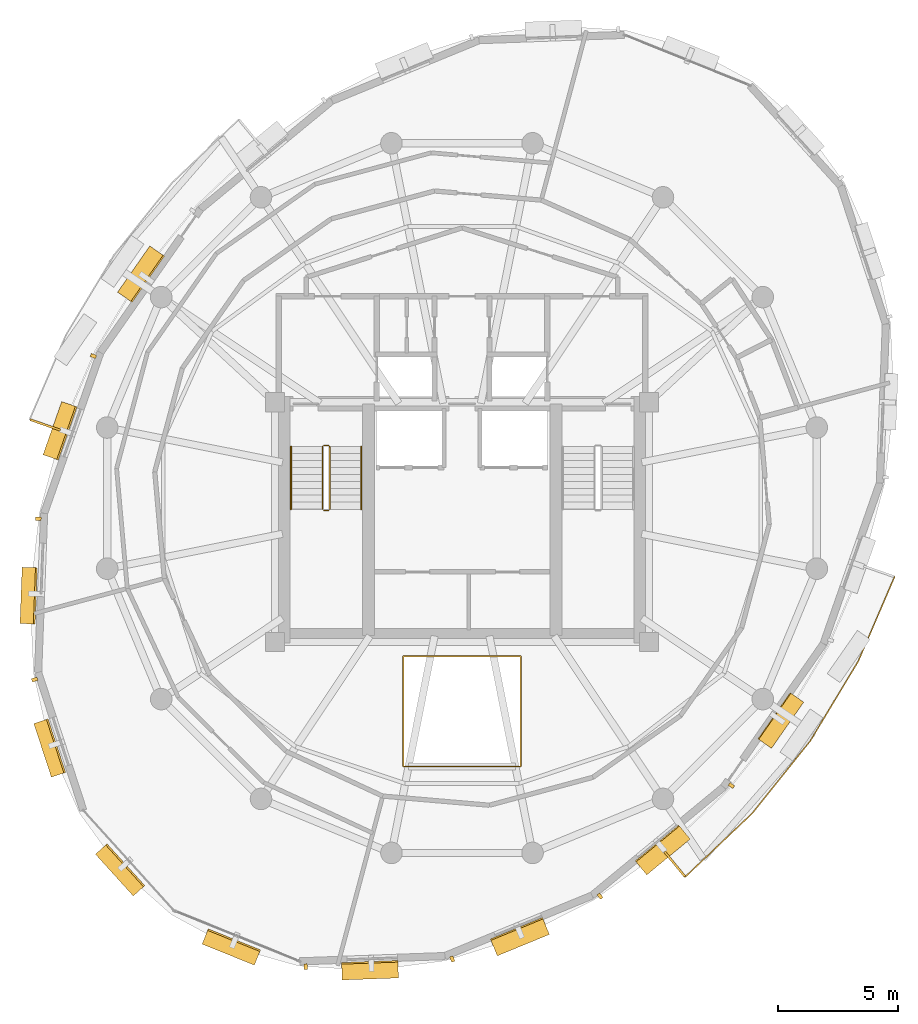
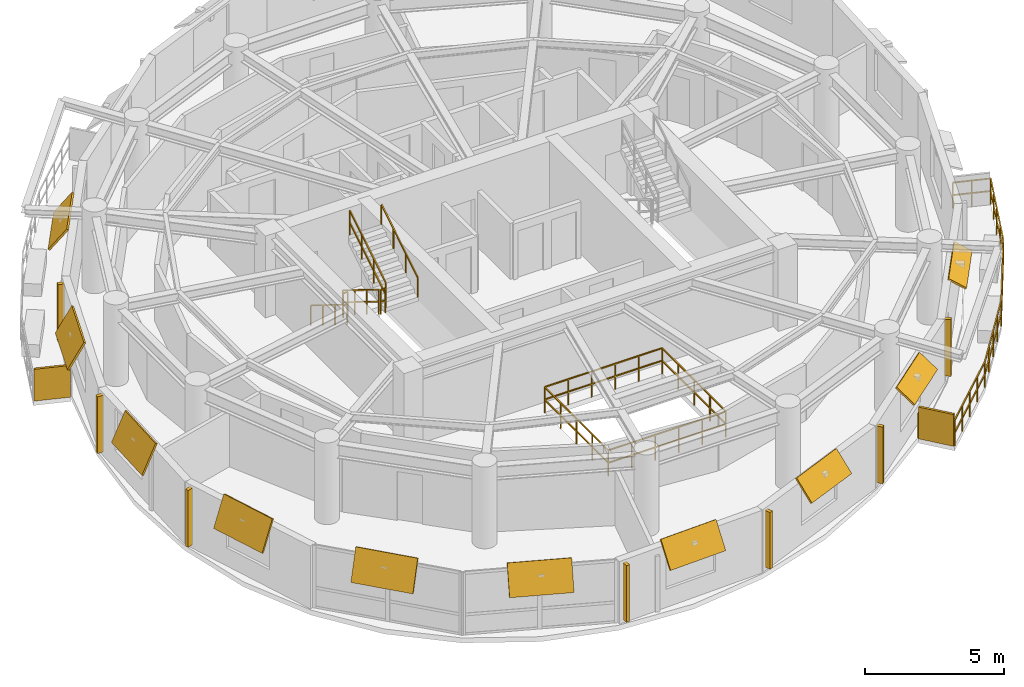
# One storey, part 10 of 11: 19 shading devices, 8 railings.
"""IFC4 building model written with IfcOpenShell, lengths in metres."""

from ifc_helpers import new_model, si_unit, direction, frame, origin, origin_2d, place, context, subcontext, project, spatial, rectangle, extrude, material, layer, layer_set, type_object, element, save


model = new_model("IFC4")

# Units and contexts
model_context = context("Model", 3, precision=1e-05, world=origin(), true_north=direction((0.0, 1.0)))
body_context = subcontext(model_context, "Body", "Model", "MODEL_VIEW")
ifc_project = project(units=[si_unit("LENGTHUNIT", "METRE"), si_unit("AREAUNIT", "SQUARE_METRE"), si_unit("VOLUMEUNIT", "CUBIC_METRE"), si_unit("PLANEANGLEUNIT", "RADIAN"), si_unit("MASSUNIT", "GRAM", prefix="KILO"), si_unit("THERMODYNAMICTEMPERATUREUNIT", "KELVIN"), si_unit("POWERUNIT", "WATT")], contexts=[model_context])

# Site, building, storey
site_placement = place(None, origin())
site = spatial("IfcSite", under=ifc_project, at=site_placement, CompositionType="ELEMENT")
building_placement = place(site_placement, origin())
building = spatial("IfcBuilding", under=site, at=building_placement, Name="Ocrelia Relay Tower", CompositionType="ELEMENT")
storey_placement = place(building_placement, frame((0.0, 0.0, 259.199951171875)))
storey = spatial("IfcBuildingStorey", under=building, at=storey_placement, Name="L64", CompositionType="ELEMENT", Elevation=259.199951171875)

# Railings
ifc_material_1 = material(Name="Steel S355 balustrade", Category="steel")
railing_type_1 = type_object("IfcRailingType", Name="RL-EXT-GUARD-1150", PredefinedType="GUARDRAIL", material=ifc_material_1)
railing_1_placement = place(storey_placement, frame((50.7392578125, 23.17333984375, 0.0)))
element("IfcRailing", 1, at=railing_1_placement, inside=storey, type_object=railing_type_1, Name="L64 Loggia Balcony Guard Rail B2", PredefinedType="GUARDRAIL", context=body_context, shape_type="SweptSolid", body=[
    extrude(rectangle(XDim=0.048095703125, YDim=0.048095703125, at=origin_2d()), frame((0.0, 0.0, 1.1259765625), z_axis=(0.94424832666, -0.329234107588, 0.0), x_axis=(0.329234107588, 0.94424832666, 0.0)), (0.0, 0.0, 1.0), 1.393310546875),
    extrude(rectangle(XDim=0.048095703125, YDim=0.048095703125, at=origin_2d()), frame((0.0, 0.0, 0.574951171875), z_axis=(0.94424832666, -0.329234107588, 0.0), x_axis=(0.329234107588, 0.94424832666, 0.0)), (0.0, 0.0, 1.0), 1.393310546875),
    extrude(rectangle(XDim=0.048095703125, YDim=0.048095703125, at=origin_2d()), frame((1.315673828125, -0.458740234375, 1.1259765625), z_axis=(-0.394916185996, -0.918717152359, 0.0), x_axis=(0.918717152359, -0.394916185996, 0.0)), (0.0, 0.0, 1.0), 1.920654296875),
    extrude(rectangle(XDim=0.048095703125, YDim=0.048095703125, at=origin_2d()), frame((1.315673828125, -0.458740234375, 0.574951171875), z_axis=(-0.394916185996, -0.918717152359, 0.0), x_axis=(0.918717152359, -0.394916185996, 0.0)), (0.0, 0.0, 1.0), 1.920654296875),
    extrude(rectangle(XDim=0.048095703125, YDim=0.048095703125, at=origin_2d()), frame((0.55712890625, -2.223388671875, 1.1259765625), z_axis=(-0.394808895803, -0.918763264283, 0.0), x_axis=(0.918763264283, -0.394808895803, 0.0)), (0.0, 0.0, 1.0), 1.920654296875),
    extrude(rectangle(XDim=0.048095703125, YDim=0.048095703125, at=origin_2d()), frame((0.55712890625, -2.223388671875, 0.574951171875), z_axis=(-0.394808895803, -0.918763264283, 0.0), x_axis=(0.918763264283, -0.394808895803, 0.0)), (0.0, 0.0, 1.0), 1.920654296875),
    extrude(rectangle(XDim=0.048095703125, YDim=0.048095703125, at=origin_2d()), frame((-0.201171875, -3.988037109375, 1.1259765625), z_axis=(-0.515780772345, -0.856720604911, 0.0), x_axis=(0.856720604911, -0.515780772345, 0.0)), (0.0, 0.0, 1.0), 3.8818359375),
    extrude(rectangle(XDim=0.048095703125, YDim=0.048095703125, at=origin_2d()), frame((-0.201171875, -3.988037109375, 0.574951171875), z_axis=(-0.515780772345, -0.856720604911, 0.0), x_axis=(0.856720604911, -0.515780772345, 0.0)), (0.0, 0.0, 1.0), 3.8818359375),
    extrude(rectangle(XDim=0.048095703125, YDim=0.048095703125, at=origin_2d()), frame((-2.203369140625, -7.313720703125, 1.1259765625), z_axis=(-0.625959728155, -0.779855383214, 0.0), x_axis=(0.779855383214, -0.625959728155, 0.0)), (0.0, 0.0, 1.0), 3.8818359375),
    extrude(rectangle(XDim=0.048095703125, YDim=0.048095703125, at=origin_2d()), frame((-2.203369140625, -7.313720703125, 0.574951171875), z_axis=(-0.625959728155, -0.779855383214, 0.0), x_axis=(0.779855383214, -0.625959728155, 0.0)), (0.0, 0.0, 1.0), 3.8818359375),
    extrude(rectangle(XDim=0.048095703125, YDim=0.048095703125, at=origin_2d()), frame((-4.63330078125, -10.341064453125, 1.1259765625), z_axis=(-0.725792339847, -0.687913860465, 0.0), x_axis=(0.687913860465, -0.725792339847, 0.0)), (0.0, 0.0, 1.0), 1.920654296875),
    extrude(rectangle(XDim=0.048095703125, YDim=0.048095703125, at=origin_2d()), frame((-4.63330078125, -10.341064453125, 0.574951171875), z_axis=(-0.725792339847, -0.687913860465, 0.0), x_axis=(0.687913860465, -0.725792339847, 0.0)), (0.0, 0.0, 1.0), 1.920654296875),
    extrude(rectangle(XDim=0.048095703125, YDim=0.048095703125, at=origin_2d()), frame((-6.02734375, -11.662353515625, 1.1259765625), z_axis=(-0.725915942054, -0.687783428901, 0.0), x_axis=(0.687783428901, -0.725915942054, 0.0)), (0.0, 0.0, 1.0), 1.920654296875),
    extrude(rectangle(XDim=0.048095703125, YDim=0.048095703125, at=origin_2d()), frame((-6.02734375, -11.662353515625, 0.574951171875), z_axis=(-0.725915942054, -0.687783428901, 0.0), x_axis=(0.687783428901, -0.725915942054, 0.0)), (0.0, 0.0, 1.0), 1.920654296875),
    extrude(rectangle(XDim=0.048095703125, YDim=0.048095703125, at=origin_2d()), frame((-7.421630859375, -12.9833984375, 1.1259765625), z_axis=(-0.634896322656, 0.772597346279, 0.0), x_axis=(-0.772597346279, -0.634896322656, 0.0)), (0.0, 0.0, 1.0), 1.3935546875),
    extrude(rectangle(XDim=0.048095703125, YDim=0.048095703125, at=origin_2d()), frame((-7.421630859375, -12.9833984375, 0.574951171875), z_axis=(-0.634896322656, 0.772597346279, 0.0), x_axis=(-0.772597346279, -0.634896322656, 0.0)), (0.0, 0.0, 1.0), 1.3935546875),
    extrude(rectangle(XDim=0.0419921875, YDim=0.0419921875, at=origin_2d()), origin(), (0.0, 0.0, 1.0), 1.101806640625),
    extrude(rectangle(XDim=0.0419921875, YDim=0.0419921875, at=origin_2d()), frame((0.65771484375, -0.2294921875, 0.0)), (0.0, 0.0, 1.0), 1.101806640625),
    extrude(rectangle(XDim=0.0419921875, YDim=0.0419921875, at=origin_2d()), frame((1.315673828125, -0.458740234375, 0.0)), (0.0, 0.0, 1.0), 1.101806640625),
    extrude(rectangle(XDim=0.0419921875, YDim=0.0419921875, at=origin_2d()), frame((0.9365234375, -1.341064453125, 0.0)), (0.0, 0.0, 1.0), 1.101806640625),
    extrude(rectangle(XDim=0.0419921875, YDim=0.0419921875, at=origin_2d()), frame((0.55712890625, -2.223388671875, 0.0)), (0.0, 0.0, 1.0), 1.101806640625),
    extrude(rectangle(XDim=0.0419921875, YDim=0.0419921875, at=origin_2d()), frame((0.177978515625, -3.105712890625, 0.0)), (0.0, 0.0, 1.0), 1.101806640625),
    extrude(rectangle(XDim=0.0419921875, YDim=0.0419921875, at=origin_2d()), frame((-0.201171875, -3.988037109375, 0.0)), (0.0, 0.0, 1.0), 1.101806640625),
    extrude(rectangle(XDim=0.0419921875, YDim=0.0419921875, at=origin_2d()), frame((-0.70166015625, -4.8193359375, 0.0)), (0.0, 0.0, 1.0), 1.101806640625),
    extrude(rectangle(XDim=0.0419921875, YDim=0.0419921875, at=origin_2d()), frame((-1.2021484375, -5.65087890625, 0.0)), (0.0, 0.0, 1.0), 1.101806640625),
    extrude(rectangle(XDim=0.0419921875, YDim=0.0419921875, at=origin_2d()), frame((-1.702880859375, -6.482421875, 0.0)), (0.0, 0.0, 1.0), 1.101806640625),
    extrude(rectangle(XDim=0.0419921875, YDim=0.0419921875, at=origin_2d()), frame((-2.203369140625, -7.313720703125, 0.0)), (0.0, 0.0, 1.0), 1.101806640625),
    extrude(rectangle(XDim=0.0419921875, YDim=0.0419921875, at=origin_2d()), frame((-2.810791015625, -8.070556640625, 0.0)), (0.0, 0.0, 1.0), 1.101806640625),
    extrude(rectangle(XDim=0.0419921875, YDim=0.0419921875, at=origin_2d()), frame((-3.41845703125, -8.827392578125, 0.0)), (0.0, 0.0, 1.0), 1.101806640625),
    extrude(rectangle(XDim=0.0419921875, YDim=0.0419921875, at=origin_2d()), frame((-4.02587890625, -9.584228515625, 0.0)), (0.0, 0.0, 1.0), 1.101806640625),
    extrude(rectangle(XDim=0.0419921875, YDim=0.0419921875, at=origin_2d()), frame((-4.63330078125, -10.341064453125, 0.0)), (0.0, 0.0, 1.0), 1.101806640625),
    extrude(rectangle(XDim=0.0419921875, YDim=0.0419921875, at=origin_2d()), frame((-5.330322265625, -11.001708984375, 0.0)), (0.0, 0.0, 1.0), 1.101806640625),
    extrude(rectangle(XDim=0.0419921875, YDim=0.0419921875, at=origin_2d()), frame((-6.02734375, -11.662353515625, 0.0)), (0.0, 0.0, 1.0), 1.101806640625),
    extrude(rectangle(XDim=0.0419921875, YDim=0.0419921875, at=origin_2d()), frame((-6.724609375, -12.32275390625, 0.0)), (0.0, 0.0, 1.0), 1.101806640625),
    extrude(rectangle(XDim=0.0419921875, YDim=0.0419921875, at=origin_2d()), frame((-7.421630859375, -12.9833984375, 0.0)), (0.0, 0.0, 1.0), 1.101806640625),
    extrude(rectangle(XDim=0.0419921875, YDim=0.0419921875, at=origin_2d()), frame((-7.864013671875, -12.445068359375, 0.0)), (0.0, 0.0, 1.0), 1.101806640625),
    extrude(rectangle(XDim=0.0419921875, YDim=0.0419921875, at=origin_2d()), frame((-8.306396484375, -11.90673828125, 0.0)), (0.0, 0.0, 1.0), 1.101806640625),
])
ifc_material_2 = material(Name="Steel S355 atrium balustrade", Category="steel")
railing_type_2 = type_object("IfcRailingType", Name="RL-INT-GUARD-115", PredefinedType="GUARDRAIL", material=ifc_material_2)
railing_2_placement = place(storey_placement, frame((31.550048828125, 14.800048828125, 0.0)))
element("IfcRailing", 2, at=railing_2_placement, inside=storey, type_object=railing_type_2, Name="L64 Multi-Zone Interior Atrium Guard", PredefinedType="GUARDRAIL", context=body_context, shape_type="SweptSolid", body=[
    extrude(rectangle(XDim=0.048095703125, YDim=0.048095703125, at=origin_2d()), frame((0.0, 0.0, 1.1259765625), z_axis=(1.0, 0.0, 0.0), x_axis=(0.0, 1.0, 0.0)), (0.0, 0.0, 1.0), 4.89990234375),
    extrude(rectangle(XDim=0.048095703125, YDim=0.048095703125, at=origin_2d()), frame((0.0, 0.0, 0.574951171875), z_axis=(1.0, 0.0, 0.0), x_axis=(0.0, 1.0, 0.0)), (0.0, 0.0, 1.0), 4.89990234375),
    extrude(rectangle(XDim=0.048095703125, YDim=0.048095703125, at=origin_2d()), frame((4.89990234375, 0.0, 1.1259765625), z_axis=(0.0, 1.0, 0.0), x_axis=(-1.0, 0.0, 0.0)), (0.0, 0.0, 1.0), 4.599853515625),
    extrude(rectangle(XDim=0.048095703125, YDim=0.048095703125, at=origin_2d()), frame((4.89990234375, 0.0, 0.574951171875), z_axis=(0.0, 1.0, 0.0), x_axis=(-1.0, 0.0, 0.0)), (0.0, 0.0, 1.0), 4.599853515625),
    extrude(rectangle(XDim=0.048095703125, YDim=0.048095703125, at=origin_2d()), frame((4.89990234375, 4.599853515625, 1.1259765625), z_axis=(-1.0, 0.0, 0.0), x_axis=(0.0, -1.0, 0.0)), (0.0, 0.0, 1.0), 4.89990234375),
    extrude(rectangle(XDim=0.048095703125, YDim=0.048095703125, at=origin_2d()), frame((4.89990234375, 4.599853515625, 0.574951171875), z_axis=(-1.0, 0.0, 0.0), x_axis=(0.0, -1.0, 0.0)), (0.0, 0.0, 1.0), 4.89990234375),
    extrude(rectangle(XDim=0.048095703125, YDim=0.048095703125, at=origin_2d()), frame((0.0, 4.599853515625, 1.1259765625), z_axis=(0.0, -1.0, 0.0), x_axis=(1.0, 0.0, 0.0)), (0.0, 0.0, 1.0), 4.599853515625),
    extrude(rectangle(XDim=0.048095703125, YDim=0.048095703125, at=origin_2d()), frame((0.0, 4.599853515625, 0.574951171875), z_axis=(0.0, -1.0, 0.0), x_axis=(1.0, 0.0, 0.0)), (0.0, 0.0, 1.0), 4.599853515625),
    extrude(rectangle(XDim=0.0419921875, YDim=0.0419921875, at=origin_2d()), origin(), (0.0, 0.0, 1.0), 1.101806640625),
    extrude(rectangle(XDim=0.0419921875, YDim=0.0419921875, at=origin_2d()), frame((0.97998046875, 0.0, 0.0)), (0.0, 0.0, 1.0), 1.101806640625),
    extrude(rectangle(XDim=0.0419921875, YDim=0.0419921875, at=origin_2d()), frame((1.9599609375, 0.0, 0.0)), (0.0, 0.0, 1.0), 1.101806640625),
    extrude(rectangle(XDim=0.0419921875, YDim=0.0419921875, at=origin_2d()), frame((2.93994140625, 0.0, 0.0)), (0.0, 0.0, 1.0), 1.101806640625),
    extrude(rectangle(XDim=0.0419921875, YDim=0.0419921875, at=origin_2d()), frame((3.919921875, 0.0, 0.0)), (0.0, 0.0, 1.0), 1.101806640625),
    extrude(rectangle(XDim=0.0419921875, YDim=0.0419921875, at=origin_2d()), frame((4.89990234375, 0.0, 0.0)), (0.0, 0.0, 1.0), 1.101806640625),
    extrude(rectangle(XDim=0.0419921875, YDim=0.0419921875, at=origin_2d()), frame((4.89990234375, 1.14990234375, 0.0)), (0.0, 0.0, 1.0), 1.101806640625),
    extrude(rectangle(XDim=0.0419921875, YDim=0.0419921875, at=origin_2d()), frame((4.89990234375, 2.2998046875, 0.0)), (0.0, 0.0, 1.0), 1.101806640625),
    extrude(rectangle(XDim=0.0419921875, YDim=0.0419921875, at=origin_2d()), frame((4.89990234375, 3.449951171875, 0.0)), (0.0, 0.0, 1.0), 1.101806640625),
    extrude(rectangle(XDim=0.0419921875, YDim=0.0419921875, at=origin_2d()), frame((4.89990234375, 4.599853515625, 0.0)), (0.0, 0.0, 1.0), 1.101806640625),
    extrude(rectangle(XDim=0.0419921875, YDim=0.0419921875, at=origin_2d()), frame((3.919921875, 4.599853515625, 0.0)), (0.0, 0.0, 1.0), 1.101806640625),
    extrude(rectangle(XDim=0.0419921875, YDim=0.0419921875, at=origin_2d()), frame((2.93994140625, 4.599853515625, 0.0)), (0.0, 0.0, 1.0), 1.101806640625),
    extrude(rectangle(XDim=0.0419921875, YDim=0.0419921875, at=origin_2d()), frame((1.9599609375, 4.599853515625, 0.0)), (0.0, 0.0, 1.0), 1.101806640625),
    extrude(rectangle(XDim=0.0419921875, YDim=0.0419921875, at=origin_2d()), frame((0.97998046875, 4.599853515625, 0.0)), (0.0, 0.0, 1.0), 1.101806640625),
    extrude(rectangle(XDim=0.0419921875, YDim=0.0419921875, at=origin_2d()), frame((0.0, 4.599853515625, 0.0)), (0.0, 0.0, 1.0), 1.101806640625),
    extrude(rectangle(XDim=0.0419921875, YDim=0.0419921875, at=origin_2d()), frame((0.0, 3.449951171875, 0.0)), (0.0, 0.0, 1.0), 1.101806640625),
    extrude(rectangle(XDim=0.0419921875, YDim=0.0419921875, at=origin_2d()), frame((0.0, 2.2998046875, 0.0)), (0.0, 0.0, 1.0), 1.101806640625),
    extrude(rectangle(XDim=0.0419921875, YDim=0.0419921875, at=origin_2d()), frame((0.0, 1.14990234375, 0.0)), (0.0, 0.0, 1.0), 1.101806640625),
])
railing_type_3 = type_object("IfcRailingType", Name="RL-STAIR-GUARD", PredefinedType="GUARDRAIL", material=ifc_material_1)
railing_3_placement = place(storey_placement, frame((28.179931640625, 28.14990234375, 0.179931640625)))
element("IfcRailing", 3, at=railing_3_placement, inside=storey, type_object=railing_type_3, Name="L64 ST1 stair guard 1", PredefinedType="GUARDRAIL", context=body_context, shape_type="SweptSolid", body=[
    extrude(rectangle(XDim=0.048095703125, YDim=0.048095703125, at=origin_2d()), frame((0.0, 0.0, 1.076171875), z_axis=(0.0, -0.849610693518, 0.52741034258), x_axis=(1.0, 0.0, 0.0)), (0.0, 0.0, 1.0), 3.07177734375),
    extrude(rectangle(XDim=0.048095703125, YDim=0.048095703125, at=origin_2d()), frame((0.0, 0.0, 0.550048828125), z_axis=(0.0, -0.849610693518, 0.52741034258), x_axis=(1.0, 0.0, 0.0)), (0.0, 0.0, 1.0), 3.07177734375),
    extrude(rectangle(XDim=0.0419921875, YDim=0.0419921875, at=origin_2d()), origin(), (0.0, 0.0, 1.0), 1.052001953125),
    extrude(rectangle(XDim=0.0419921875, YDim=0.0419921875, at=origin_2d()), frame((0.0, -0.869873046875, 0.5400390625)), (0.0, 0.0, 1.0), 1.052001953125),
    extrude(rectangle(XDim=0.0419921875, YDim=0.0419921875, at=origin_2d()), frame((0.0, -1.739990234375, 1.080078125)), (0.0, 0.0, 1.0), 1.052001953125),
    extrude(rectangle(XDim=0.0419921875, YDim=0.0419921875, at=origin_2d()), frame((0.0, -2.60986328125, 1.6201171875)), (0.0, 0.0, 1.0), 1.052001953125),
])
railing_4_placement = place(storey_placement, frame((28.22998046875, 25.489990234375, 1.800048828125)))
element("IfcRailing", 4, at=railing_4_placement, inside=storey, type_object=railing_type_3, Name="L64 ST1 stair guard 2", PredefinedType="GUARDRAIL", context=body_context, shape_type="SweptSolid", body=[
    extrude(rectangle(XDim=0.048095703125, YDim=0.048095703125, at=origin_2d()), frame((0.0, 0.0, 1.076171875), z_axis=(1.0, 0.0, 0.0), x_axis=(0.0, 1.0, 0.0)), (0.0, 0.0, 1.0), 0.199951171875),
    extrude(rectangle(XDim=0.048095703125, YDim=0.048095703125, at=origin_2d()), frame((0.0, 0.0, 0.550048828125), z_axis=(1.0, 0.0, 0.0), x_axis=(0.0, 1.0, 0.0)), (0.0, 0.0, 1.0), 0.199951171875),
    extrude(rectangle(XDim=0.0419921875, YDim=0.0419921875, at=origin_2d()), origin(), (0.0, 0.0, 1.0), 1.052001953125),
    extrude(rectangle(XDim=0.0419921875, YDim=0.0419921875, at=origin_2d()), frame((0.199951171875, 0.0, 0.0)), (0.0, 0.0, 1.0), 1.052001953125),
])
railing_5_placement = place(storey_placement, frame((28.47998046875, 25.5400390625, 1.97998046875)))
element("IfcRailing", 5, at=railing_5_placement, inside=storey, type_object=railing_type_3, Name="L64 ST1 stair guard 3", PredefinedType="GUARDRAIL", context=body_context, shape_type="SweptSolid", body=[
    extrude(rectangle(XDim=0.048095703125, YDim=0.048095703125, at=origin_2d()), frame((0.0, 0.0, 1.076171875), z_axis=(0.0, 0.849610693518, 0.52741034258), x_axis=(-1.0, 0.0, 0.0)), (0.0, 0.0, 1.0), 3.07177734375),
    extrude(rectangle(XDim=0.048095703125, YDim=0.048095703125, at=origin_2d()), frame((0.0, 0.0, 0.550048828125), z_axis=(0.0, 0.849610693518, 0.52741034258), x_axis=(-1.0, 0.0, 0.0)), (0.0, 0.0, 1.0), 3.07177734375),
    extrude(rectangle(XDim=0.0419921875, YDim=0.0419921875, at=origin_2d()), origin(), (0.0, 0.0, 1.0), 1.052001953125),
    extrude(rectangle(XDim=0.0419921875, YDim=0.0419921875, at=origin_2d()), frame((0.0, 0.869873046875, 0.5400390625)), (0.0, 0.0, 1.0), 1.052001953125),
    extrude(rectangle(XDim=0.0419921875, YDim=0.0419921875, at=origin_2d()), frame((0.0, 1.739990234375, 1.080078125)), (0.0, 0.0, 1.0), 1.052001953125),
    extrude(rectangle(XDim=0.0419921875, YDim=0.0419921875, at=origin_2d()), frame((0.0, 2.60986328125, 1.6201171875)), (0.0, 0.0, 1.0), 1.052001953125),
])
railing_6_placement = place(storey_placement, frame((28.22998046875, 28.199951171875, 0.0)))
element("IfcRailing", 6, at=railing_6_placement, inside=storey, type_object=railing_type_3, Name="L64 ST1 stair guard 4", PredefinedType="GUARDRAIL", context=body_context, shape_type="SweptSolid", body=[
    extrude(rectangle(XDim=0.048095703125, YDim=0.048095703125, at=origin_2d()), frame((0.0, 0.0, 1.076171875), z_axis=(1.0, 0.0, 0.0), x_axis=(0.0, 1.0, 0.0)), (0.0, 0.0, 1.0), 0.199951171875),
    extrude(rectangle(XDim=0.048095703125, YDim=0.048095703125, at=origin_2d()), frame((0.0, 0.0, 0.550048828125), z_axis=(1.0, 0.0, 0.0), x_axis=(0.0, 1.0, 0.0)), (0.0, 0.0, 1.0), 0.199951171875),
    extrude(rectangle(XDim=0.0419921875, YDim=0.0419921875, at=origin_2d()), origin(), (0.0, 0.0, 1.0), 1.052001953125),
    extrude(rectangle(XDim=0.0419921875, YDim=0.0419921875, at=origin_2d()), frame((0.199951171875, 0.0, 0.0)), (0.0, 0.0, 1.0), 1.052001953125),
])
ifc_material_3 = material(Name="Steel S355 tubular handrail", Category="steel")
railing_type_4 = type_object("IfcRailingType", Name="RL-STAIR-HAND", PredefinedType="HANDRAIL", material=ifc_material_3)
railing_7_placement = place(storey_placement, frame((26.860107421875, 28.14990234375, 0.179931640625)))
element("IfcRailing", 7, at=railing_7_placement, inside=storey, type_object=railing_type_4, Name="L64 ST1 stair handrail 1", PredefinedType="HANDRAIL", context=body_context, shape_type="SweptSolid", body=[
    extrude(rectangle(XDim=0.048095703125, YDim=0.048095703125, at=origin_2d()), frame((0.0, 0.0, 0.8759765625), z_axis=(0.0, -0.849610693518, 0.52741034258), x_axis=(1.0, 0.0, 0.0)), (0.0, 0.0, 1.0), 3.07177734375),
    extrude(rectangle(XDim=0.0419921875, YDim=0.0419921875, at=origin_2d()), origin(), (0.0, 0.0, 1.0), 0.851806640625),
    extrude(rectangle(XDim=0.0419921875, YDim=0.0419921875, at=origin_2d()), frame((0.0, -0.869873046875, 0.5400390625)), (0.0, 0.0, 1.0), 0.851806640625),
    extrude(rectangle(XDim=0.0419921875, YDim=0.0419921875, at=origin_2d()), frame((0.0, -1.739990234375, 1.080078125)), (0.0, 0.0, 1.0), 0.851806640625),
    extrude(rectangle(XDim=0.0419921875, YDim=0.0419921875, at=origin_2d()), frame((0.0, -2.60986328125, 1.6201171875)), (0.0, 0.0, 1.0), 0.851806640625),
])
railing_8_placement = place(storey_placement, frame((29.800048828125, 25.5400390625, 1.97998046875)))
element("IfcRailing", 8, at=railing_8_placement, inside=storey, type_object=railing_type_4, Name="L64 ST1 stair handrail 2", PredefinedType="HANDRAIL", context=body_context, shape_type="SweptSolid", body=[
    extrude(rectangle(XDim=0.048095703125, YDim=0.048095703125, at=origin_2d()), frame((0.0, 0.0, 0.8759765625), z_axis=(0.0, 0.849610693518, 0.52741034258), x_axis=(-1.0, 0.0, 0.0)), (0.0, 0.0, 1.0), 3.07177734375),
    extrude(rectangle(XDim=0.0419921875, YDim=0.0419921875, at=origin_2d()), origin(), (0.0, 0.0, 1.0), 0.851806640625),
    extrude(rectangle(XDim=0.0419921875, YDim=0.0419921875, at=origin_2d()), frame((0.0, 0.869873046875, 0.5400390625)), (0.0, 0.0, 1.0), 0.851806640625),
    extrude(rectangle(XDim=0.0419921875, YDim=0.0419921875, at=origin_2d()), frame((0.0, 1.739990234375, 1.080078125)), (0.0, 0.0, 1.0), 0.851806640625),
    extrude(rectangle(XDim=0.0419921875, YDim=0.0419921875, at=origin_2d()), frame((0.0, 2.60986328125, 1.6201171875)), (0.0, 0.0, 1.0), 0.851806640625),
])

# Shading devices
ifc_material_4 = material(Name="Perforated oxide terracotta solar screen", Category="masonry")
ifc_layer_1 = layer(ifc_material_4, 0.090087890625, Name="Perforated oxide terracotta solar screen")
ifc_layer_set_1 = layer_set([ifc_layer_1], Name="Perforated oxide terracotta solar screen")
shading_device_type_1 = type_object("IfcShadingDeviceType", Name="SH-BALC-SCREEN", PredefinedType="USERDEFINED", material=ifc_layer_set_1)
for number, where, z_axis, x_axis, name in (
    (9, (16.602783203125, 29.055908203125, 0.0), (0.0, 0.0, 1.0), (-0.94426711604, 0.32918021442, 0.0), "L64 Balcony Perforated Terracotta Screen B1-2"),
    (10, (42.875244140625, 10.728271484375, 0.0), (0.0, 0.0, 1.0), (0.634967422531, -0.772538913146, 0.0), "L64 Balcony Perforated Terracotta Screen B2-1"),
):
    element("IfcShadingDevice", number, at=place(storey_placement, frame(where, z_axis=z_axis, x_axis=x_axis)), inside=storey, type_object=shading_device_type_1, Name=name, ObjectType="SCREEN", PredefinedType="USERDEFINED", context=body_context, shape_type="SweptSolid", body=[
        extrude(rectangle(XDim=1.340087890625, YDim=0.090087890625, at=origin_2d()), origin(), (0.0, 0.0, 1.0), 1.39990234375),
    ])
ifc_material_5 = material(Name="Extruded oxide terracotta vertical baguette", Category="masonry")
shading_device_type_2 = type_object("IfcShadingDeviceType", Name="SH-TERR-BAGUETTE", PredefinedType="USERDEFINED", material=ifc_material_5)
for number, where, z_axis, x_axis, name in (
    (11, (18.61328125, 31.930419921875, 0.130126953125), (0.0, 0.0, 1.0), (-0.330657161908, -0.943750942399, 0.0), "L64 Oxide Terracotta Vertical Baguette 06"),
    (12, (16.318359375, 25.134521484375, 0.130126953125), (0.0, 0.0, 1.0), (-0.037452052164, -0.999298425791, 0.0), "L64 Oxide Terracotta Vertical Baguette 07"),
    (13, (16.164306640625, 18.427734375, 0.130126953125), (0.0, 0.0, 1.0), (0.310962117656, -0.950422306863, 0.0), "L64 Oxide Terracotta Vertical Baguette 08"),
    (14, (27.473876953125, 6.44384765625, 0.130126953125), (0.0, 0.0, 1.0), (0.999340020676, 0.036325240199, 0.0), "L64 Oxide Terracotta Vertical Baguette 11"),
    (15, (33.593017578125, 6.763671875, 0.130126953125), (0.0, 0.0, 1.0), (0.92490084006, 0.380208411345, 0.0), "L64 Oxide Terracotta Vertical Baguette 12"),
    (16, (39.759521484375, 9.38623046875, 0.130126953125), (0.0, 0.0, 1.0), (0.771527626544, 0.636195820074, 0.0), "L64 Oxide Terracotta Vertical Baguette 13"),
    (17, (45.243408203125, 14.002685546875, 0.130126953125), (0.0, 0.0, 1.0), (0.572143848278, 0.820153288646, 0.0), "L64 Oxide Terracotta Vertical Baguette 14"),
):
    element("IfcShadingDevice", number, at=place(storey_placement, frame(where, z_axis=z_axis, x_axis=x_axis)), inside=storey, type_object=shading_device_type_2, Name=name, ObjectType="BAGUETTE", PredefinedType="USERDEFINED", context=body_context, shape_type="SweptSolid", body=[
        extrude(rectangle(XDim=0.139892578125, YDim=0.239990234375, at=origin_2d()), origin(), (0.0, 0.0, 1.0), 2.5),
    ])
ifc_material_6 = material(Name="Extruded oxide terracotta fin", Category="masonry")
ifc_layer_2 = layer(ifc_material_6, 0.080078125, Name="Extruded oxide terracotta fin")
ifc_layer_set_2 = layer_set([ifc_layer_2], Name="Extruded oxide terracotta fin")
shading_device_type_3 = type_object("IfcShadingDeviceType", Name="SH-VISOR-FIN-DEEP", PredefinedType="USERDEFINED", material=ifc_layer_set_2)
shading_device_1_placement = place(storey_placement, frame((20.627197265625, 35.328857421875, 2.57666015625), z_axis=(-0.663854337932, 0.463108763762, 0.587220308688), x_axis=(-0.572143848278, -0.820153288646, 0.0)))
element("IfcShadingDevice", 18, at=shading_device_1_placement, inside=storey, type_object=shading_device_type_3, Name="L64 Canted Terracotta Sun-Visor Fin 05", ObjectType="FIN", PredefinedType="USERDEFINED", context=body_context, shape_type="SweptSolid", body=[
    extrude(rectangle(XDim=2.35009765625, YDim=1.15087890625, at=origin_2d()), origin(), (0.0, 0.0, 1.0), 0.080078125),
])
shading_device_2_placement = place(storey_placement, frame((17.25537109375, 28.797119140625, 2.5810546875), z_axis=(-0.831575239779, 0.291354738147, 0.472858369012), x_axis=(-0.330657161908, -0.943750942399, 0.0)))
element("IfcShadingDevice", 19, at=shading_device_2_placement, inside=storey, type_object=shading_device_type_3, Name="L64 Canted Terracotta Sun-Visor Fin 06", ObjectType="FIN", PredefinedType="USERDEFINED", context=body_context, shape_type="SweptSolid", body=[
    extrude(rectangle(XDim=2.35009765625, YDim=1.280029296875, at=origin_2d()), origin(), (0.0, 0.0, 1.0), 0.080078125),
])
shading_device_3_placement = place(storey_placement, frame((15.94677734375, 21.927490234375, 2.58349609375), z_axis=(-0.908960885087, 0.034066350556, 0.415487175664), x_axis=(-0.037452052164, -0.999298425791, 0.0)))
element("IfcShadingDevice", 20, at=shading_device_3_placement, inside=storey, type_object=shading_device_type_3, Name="L64 Canted Terracotta Sun-Visor Fin 07", ObjectType="FIN", PredefinedType="USERDEFINED", context=body_context, shape_type="SweptSolid", body=[
    extrude(rectangle(XDim=2.35009765625, YDim=1.341064453125, at=origin_2d()), origin(), (0.0, 0.0, 1.0), 0.080078125),
])
shading_device_4_placement = place(storey_placement, frame((16.825927734375, 15.57958984375, 2.583740234375), z_axis=(-0.867306817705, -0.283768134169, 0.408967639299), x_axis=(0.310962117656, -0.950422306863, 0.0)))
element("IfcShadingDevice", 21, at=shading_device_4_placement, inside=storey, type_object=shading_device_type_3, Name="L64 Canted Terracotta Sun-Visor Fin 08", ObjectType="FIN", PredefinedType="USERDEFINED", context=body_context, shape_type="SweptSolid", body=[
    extrude(rectangle(XDim=2.35009765625, YDim=1.347900390625, at=origin_2d()), origin(), (0.0, 0.0, 1.0), 0.080078125),
])
shading_device_5_placement = place(storey_placement, frame((19.75732421875, 10.505859375, 2.582763671875), z_axis=(-0.667453523931, -0.604105027542, 0.435388228011), x_axis=(0.671046778202, -0.741415012975, 0.0)))
element("IfcShadingDevice", 22, at=shading_device_5_placement, inside=storey, type_object=shading_device_type_3, Name="L64 Canted Terracotta Sun-Visor Fin 09", ObjectType="FIN", PredefinedType="USERDEFINED", context=body_context, shape_type="SweptSolid", body=[
    extrude(rectangle(XDim=2.35009765625, YDim=1.320068359375, at=origin_2d()), origin(), (0.0, 0.0, 1.0), 0.080078125),
])
shading_device_6_placement = place(storey_placement, frame((24.38330078125, 7.295654296875, 2.58056640625), z_axis=(-0.326763649414, -0.81092098394, 0.485420101795), x_axis=(0.927528967544, -0.373751273397, 0.0)))
element("IfcShadingDevice", 23, at=shading_device_6_placement, inside=storey, type_object=shading_device_type_3, Name="L64 Canted Terracotta Sun-Visor Fin 10", ObjectType="FIN", PredefinedType="USERDEFINED", context=body_context, shape_type="SweptSolid", body=[
    extrude(rectangle(XDim=2.35009765625, YDim=1.26611328125, at=origin_2d()), origin(), (0.0, 0.0, 1.0), 0.080078125),
])
shading_device_7_placement = place(storey_placement, frame((30.159423828125, 6.32568359375, 2.577880859375), z_axis=(0.03015746594, -0.82965900489, 0.557455346062), x_axis=(0.999340020676, 0.036325240199, 0.0)))
element("IfcShadingDevice", 24, at=shading_device_7_placement, inside=storey, type_object=shading_device_type_3, Name="L64 Canted Terracotta Sun-Visor Fin 11", ObjectType="FIN", PredefinedType="USERDEFINED", context=body_context, shape_type="SweptSolid", body=[
    extrude(rectangle(XDim=2.35009765625, YDim=1.18505859375, at=origin_2d()), origin(), (0.0, 0.0, 1.0), 0.080078125),
])
ifc_layer_3 = layer(ifc_material_6, 0.080078125, Name="Extruded oxide terracotta fin")
ifc_layer_set_3 = layer_set([ifc_layer_3], Name="Extruded oxide terracotta fin")
shading_device_type_4 = type_object("IfcShadingDeviceType", Name="SH-VISOR-FIN-MED", PredefinedType="USERDEFINED", material=ifc_layer_set_3)
shading_device_8_placement = place(storey_placement, frame((36.404541015625, 7.720458984375, 2.573974609375), z_axis=(0.287859243385, -0.700250831074, 0.653288473477), x_axis=(0.92490084006, 0.380208411345, 0.0)))
element("IfcShadingDevice", 25, at=shading_device_8_placement, inside=storey, type_object=shading_device_type_4, Name="L64 Canted Terracotta Sun-Visor Fin 12", ObjectType="FIN", PredefinedType="USERDEFINED", context=body_context, shape_type="SweptSolid", body=[
    extrude(rectangle(XDim=2.35009765625, YDim=1.070068359375, at=origin_2d()), origin(), (0.0, 0.0, 1.0), 0.080078125),
])
shading_device_9_placement = place(storey_placement, frame((42.36279296875, 11.33203125, 2.5693359375), z_axis=(0.40919391251, -0.496237790557, 0.765707775321), x_axis=(0.771527626544, 0.636195820074, 0.0)))
element("IfcShadingDevice", 26, at=shading_device_9_placement, inside=storey, type_object=shading_device_type_4, Name="L64 Canted Terracotta Sun-Visor Fin 13", ObjectType="FIN", PredefinedType="USERDEFINED", context=body_context, shape_type="SweptSolid", body=[
    extrude(rectangle(XDim=2.35009765625, YDim=0.9169921875, at=origin_2d()), origin(), (0.0, 0.0, 1.0), 0.080078125),
])
ifc_layer_4 = layer(ifc_material_6, 0.080078125, Name="Extruded oxide terracotta fin")
ifc_layer_set_4 = layer_set([ifc_layer_4], Name="Extruded oxide terracotta fin")
shading_device_type_5 = type_object("IfcShadingDeviceType", Name="SH-VISOR-FIN-SHAL", PredefinedType="USERDEFINED", material=ifc_layer_set_4)
shading_device_10_placement = place(storey_placement, frame((47.29052734375, 16.728271484375, 2.5654296875), z_axis=(0.409580679926, -0.285725936404, 0.866374258561), x_axis=(0.572143848278, 0.820153288646, 0.0)))
element("IfcShadingDevice", 27, at=shading_device_10_placement, inside=storey, type_object=shading_device_type_5, Name="L64 Canted Terracotta Sun-Visor Fin 14", ObjectType="FIN", PredefinedType="USERDEFINED", context=body_context, shape_type="SweptSolid", body=[
    extrude(rectangle(XDim=2.35009765625, YDim=0.7490234375, at=origin_2d()), origin(), (0.0, 0.0, 1.0), 0.080078125),
])

save(model, "model.ifc")
